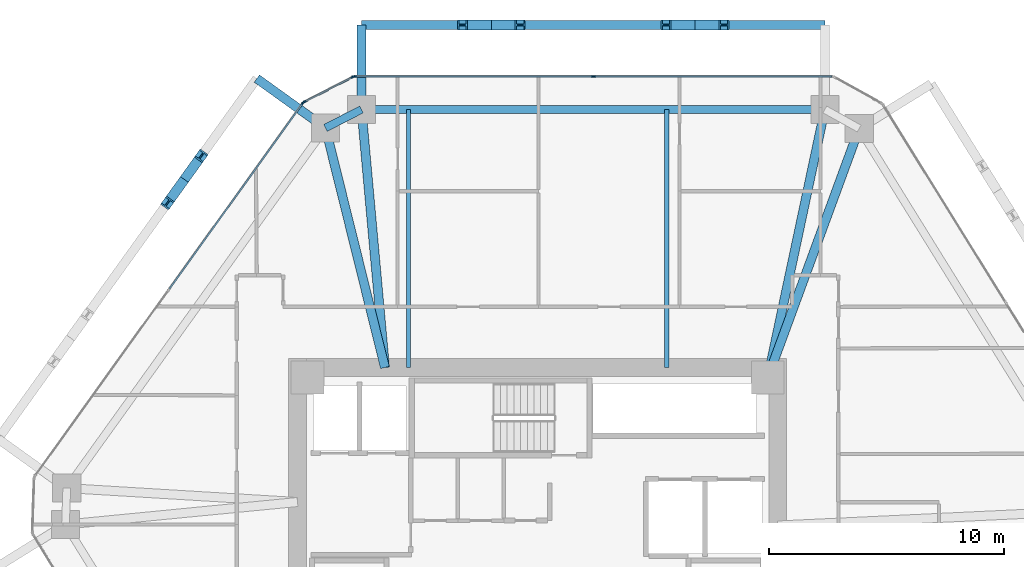
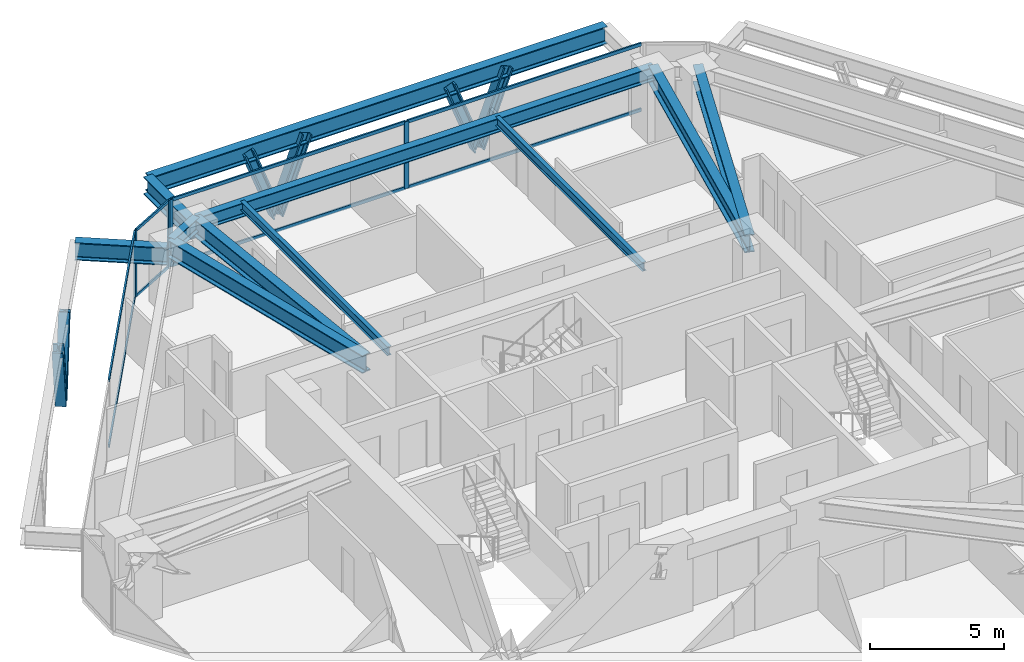
# One storey, part 7 of 14: 19 members, 11 beams, 3 elements without a shape of their own.
"""IFC4 building model written with IfcOpenShell, lengths in metres."""

from ifc_helpers import new_model, si_unit, direction, frame, origin, origin_2d, place, context, subcontext, project, spatial, rectangle, i_section, extrude, source, transform, mapped, material, layer, layer_set, material_profile, profile_set, type_object, type_shapes, element, aggregate, save


model = new_model("IFC4")

# Units and contexts
model_context = context("Model", 3, precision=1e-05, world=origin(), true_north=direction((0.0, 1.0)))
body_context = subcontext(model_context, "Body", "Model", "MODEL_VIEW")
ifc_project = project(units=[si_unit("LENGTHUNIT", "METRE"), si_unit("AREAUNIT", "SQUARE_METRE"), si_unit("VOLUMEUNIT", "CUBIC_METRE"), si_unit("PLANEANGLEUNIT", "RADIAN"), si_unit("MASSUNIT", "GRAM", prefix="KILO")], contexts=[model_context])

# Site, building, storey
site_placement = place(None, origin())
site = spatial("IfcSite", under=ifc_project, at=site_placement, CompositionType="ELEMENT")
building_placement = place(site_placement, origin())
building = spatial("IfcBuilding", under=site, at=building_placement, Name="Durnholm Broadcast Tower", CompositionType="ELEMENT")
storey_placement = place(building_placement, frame((0.0, 0.0, 120.60009765625)))
storey = spatial("IfcBuildingStorey", under=building, at=storey_placement, Name="L32", CompositionType="ELEMENT", Elevation=120.60009765625)

# Beams
ifc_material_1 = material(Name="Steel ASTM A992 Grade 50", Category="steel")
ifc_material_profile_1 = material_profile(ifc_material_1, i_section(OverallWidth=0.385009765625, OverallDepth=0.802978515625, WebThickness=0.023681640625, FlangeThickness=0.0419921875, FilletRadius=0.032958984375, at=origin_2d()), Name="W30X261")
ifc_profile_set_1 = profile_set([ifc_material_profile_1], Name="Steel ASTM A992 Grade 50")
beam_type_1 = type_object("IfcBeamType", Name="BM-EXO-TIE", PredefinedType="USERDEFINED", material=ifc_profile_set_1)
shared_shape_1 = source(origin(), body_context, "Body", "SweptSolid", [
    extrude(i_section(OverallWidth=0.385009765625, OverallDepth=0.802978515625, WebThickness=0.023681640625, FlangeThickness=0.0419921875, FilletRadius=0.032958984375, at=origin_2d()), origin(), (0.0, 0.0, 1.0), 3.4560546875),
])
beam_1_placement = place(storey_placement, frame((-7.498046875, 19.35888671875, 2.30859375), z_axis=(0.0, 1.0, 0.0), x_axis=(-1.0, 0.0, 0.0)))
element("IfcBeam", 1, at=beam_1_placement, inside=storey, type_object=beam_type_1, Name="L32 exoskeleton stand-off tie bracket F4.2", ObjectType="GIRDER", PredefinedType="USERDEFINED", context=body_context, shape_type="MappedRepresentation", body=[
    mapped(shared_shape_1, transform((0.0, 0.0, 0.0), x_axis=(1.0, 0.0, 0.0), y_axis=(0.0, 1.0, 0.0), z_axis=(0.0, 0.0, 1.0), scale=1.0)),
])
ifc_material_profile_2 = material_profile(ifc_material_1, i_section(OverallWidth=0.3291015625, OverallDepth=0.635009765625, WebThickness=0.017822265625, FlangeThickness=0.031005859375, FilletRadius=0.02783203125, at=origin_2d()), Name="W24X162")
ifc_profile_set_2 = profile_set([ifc_material_profile_2], Name="Steel ASTM A992 Grade 50")
beam_type_2 = type_object("IfcBeamType", Name="STL-SP-W24X162", PredefinedType="SPANDREL", material=ifc_profile_set_2)
shared_shape_2 = source(origin(), body_context, "Body", "SweptSolid", [
    extrude(i_section(OverallWidth=0.3291015625, OverallDepth=0.635009765625, WebThickness=0.017822265625, FlangeThickness=0.031005859375, FilletRadius=0.02783203125, at=origin_2d()), origin(), (0.0, 0.0, 1.0), 1.723876953125),
])
beam_2_placement = place(storey_placement, frame((-9.031982421875, 18.42822265625, 2.727294921875), z_axis=(0.889762904339, 0.456423020959, 0.0), x_axis=(-0.456423020959, 0.889762904339, 0.0)))
element("IfcBeam", 2, at=beam_2_placement, inside=storey, type_object=beam_type_2, Name="L32 perimeter spandrel girder 04", PredefinedType="SPANDREL", context=body_context, shape_type="MappedRepresentation", body=[
    mapped(shared_shape_2, transform((0.0, 0.0, 0.0), x_axis=(1.0, 0.0, 0.0), y_axis=(0.0, 1.0, 0.0), z_axis=(0.0, 0.0, 1.0), scale=1.0)),
])
shared_shape_3 = source(origin(), body_context, "Body", "SweptSolid", [
    extrude(i_section(OverallWidth=0.3291015625, OverallDepth=0.635009765625, WebThickness=0.017822265625, FlangeThickness=0.031005859375, FilletRadius=0.02783203125, at=origin_2d()), origin(), (0.0, 0.0, 1.0), 19.72802734375),
])
type_shapes(beam_type_2, [shared_shape_2, shared_shape_3])
beam_3_placement = place(storey_placement, frame((-7.498046875, 19.215087890625, 2.727294921875), z_axis=(1.0, 0.0, 0.0), x_axis=(0.0, 1.0, 0.0)))
element("IfcBeam", 3, at=beam_3_placement, inside=storey, type_object=beam_type_2, Name="L32 perimeter spandrel girder 05", PredefinedType="SPANDREL", context=body_context, shape_type="MappedRepresentation", body=[
    mapped(shared_shape_3, transform((0.0, 0.0, 0.0), x_axis=(1.0, 0.0, 0.0), y_axis=(0.0, 1.0, 0.0), z_axis=(0.0, 0.0, 1.0), scale=1.0)),
])
ifc_material_profile_3 = material_profile(ifc_material_1, i_section(OverallWidth=0.385009765625, OverallDepth=0.802978515625, WebThickness=0.023681640625, FlangeThickness=0.0419921875, FilletRadius=0.032958984375, at=origin_2d()), Name="W30X261")
ifc_profile_set_3 = profile_set([ifc_material_profile_3], Name="Steel ASTM A992 Grade 50")
beam_type_3 = type_object("IfcBeamType", Name="STL-GR-W30X261", PredefinedType="USERDEFINED", material=ifc_profile_set_3)
shared_shape_4 = source(origin(), body_context, "Body", "SweptSolid", [
    extrude(i_section(OverallWidth=0.385009765625, OverallDepth=0.802978515625, WebThickness=0.023681640625, FlangeThickness=0.0419921875, FilletRadius=0.032958984375, at=origin_2d()), origin(), (0.0, 0.0, 1.0), 10.5126953125),
])
beam_4_placement = place(storey_placement, frame((-6.5, 8.22509765625, 2.643310546875), z_axis=(-0.240852230194, 0.970561797729, 0.0), x_axis=(-0.970561797729, -0.240852230194, 0.0)))
element("IfcBeam", 4, at=beam_4_placement, inside=storey, type_object=beam_type_3, Name="L32 radial primary floor girder 04", ObjectType="GIRDER", PredefinedType="USERDEFINED", context=body_context, shape_type="MappedRepresentation", body=[
    mapped(shared_shape_4, transform((0.0, 0.0, 0.0), x_axis=(1.0, 0.0, 0.0), y_axis=(0.0, 1.0, 0.0), z_axis=(0.0, 0.0, 1.0), scale=1.0)),
])
shared_shape_5 = source(origin(), body_context, "Body", "SweptSolid", [
    extrude(i_section(OverallWidth=0.385009765625, OverallDepth=0.802978515625, WebThickness=0.023681640625, FlangeThickness=0.0419921875, FilletRadius=0.032958984375, at=origin_2d()), origin(), (0.0, 0.0, 1.0), 11.03515625),
])
beam_5_placement = place(storey_placement, frame((-6.5, 8.22509765625, 2.643310546875), z_axis=(-0.090441991612, 0.995901725148, 0.0), x_axis=(-0.995901725148, -0.090441991612, 0.0)))
element("IfcBeam", 5, at=beam_5_placement, inside=storey, type_object=beam_type_3, Name="L32 radial primary floor girder 05", ObjectType="GIRDER", PredefinedType="USERDEFINED", context=body_context, shape_type="MappedRepresentation", body=[
    mapped(shared_shape_5, transform((0.0, 0.0, 0.0), x_axis=(1.0, 0.0, 0.0), y_axis=(0.0, 1.0, 0.0), z_axis=(0.0, 0.0, 1.0), scale=1.0)),
])
shared_shape_6 = source(origin(), body_context, "Body", "SweptSolid", [
    extrude(i_section(OverallWidth=0.385009765625, OverallDepth=0.802978515625, WebThickness=0.023681640625, FlangeThickness=0.0419921875, FilletRadius=0.032958984375, at=origin_2d()), origin(), (0.0, 0.0, 1.0), 11.6708984375),
])
beam_6_placement = place(storey_placement, frame((9.800048828125, 7.800048828125, 2.643310546875), z_axis=(0.208206004915, 0.97808499606, 0.0), x_axis=(-0.97808499606, 0.208206004915, 0.0)))
element("IfcBeam", 6, at=beam_6_placement, inside=storey, type_object=beam_type_3, Name="L32 radial primary floor girder 06", ObjectType="GIRDER", PredefinedType="USERDEFINED", context=body_context, shape_type="MappedRepresentation", body=[
    mapped(shared_shape_6, transform((0.0, 0.0, 0.0), x_axis=(1.0, 0.0, 0.0), y_axis=(0.0, 1.0, 0.0), z_axis=(0.0, 0.0, 1.0), scale=1.0)),
])
shared_shape_7 = source(origin(), body_context, "Body", "SweptSolid", [
    extrude(i_section(OverallWidth=0.385009765625, OverallDepth=0.802978515625, WebThickness=0.023681640625, FlangeThickness=0.0419921875, FilletRadius=0.032958984375, at=origin_2d()), origin(), (0.0, 0.0, 1.0), 11.293212890625),
])
type_shapes(beam_type_3, [shared_shape_4, shared_shape_5, shared_shape_6, shared_shape_7])
beam_7_placement = place(storey_placement, frame((9.800048828125, 7.800048828125, 2.643310546875), z_axis=(0.344640193759, 0.938734859716, 0.0), x_axis=(-0.938734859716, 0.344640193759, 0.0)))
element("IfcBeam", 7, at=beam_7_placement, inside=storey, type_object=beam_type_3, Name="L32 radial primary floor girder 07", ObjectType="GIRDER", PredefinedType="USERDEFINED", context=body_context, shape_type="MappedRepresentation", body=[
    mapped(shared_shape_7, transform((0.0, 0.0, 0.0), x_axis=(1.0, 0.0, 0.0), y_axis=(0.0, 1.0, 0.0), z_axis=(0.0, 0.0, 1.0), scale=1.0)),
])
ifc_material_profile_4 = material_profile(ifc_material_1, i_section(OverallWidth=0.177734375, OverallDepth=0.40673828125, WebThickness=0.0078125, FlangeThickness=0.0126953125, FilletRadius=0.01904296875, at=origin_2d()), Name="W16X40")
ifc_profile_set_4 = profile_set([ifc_material_profile_4], Name="Steel ASTM A992 Grade 50")
beam_type_4 = type_object("IfcBeamType", Name="STL-BJ-W16X40", PredefinedType="JOIST", material=ifc_profile_set_4)
shared_shape_8 = source(origin(), body_context, "Body", "SweptSolid", [
    extrude(i_section(OverallWidth=0.177734375, OverallDepth=0.40673828125, WebThickness=0.0078125, FlangeThickness=0.0126953125, FilletRadius=0.01904296875, at=origin_2d()), origin(), (0.0, 0.0, 1.0), 10.989990234375),
])
type_shapes(beam_type_4, [shared_shape_8])
for number, where, z_axis, x_axis, name in (
    (8, (-5.5, 8.22509765625, 2.841552734375), (0.0, 1.0, 0.0), (-1.0, 0.0, 0.0), "L32 secondary floor joist 3.2"),
    (9, (5.5, 8.22509765625, 2.841552734375), (0.0, 1.0, 0.0), (-1.0, 0.0, 0.0), "L32 secondary floor joist 4.2"),
):
    element("IfcBeam", number, at=place(storey_placement, frame(where, z_axis=z_axis, x_axis=x_axis)), inside=storey, type_object=beam_type_4, Name=name, PredefinedType="JOIST", context=body_context, shape_type="MappedRepresentation", body=[
        mapped(shared_shape_8, transform((0.0, 0.0, 0.0), x_axis=(1.0, 0.0, 0.0), y_axis=(0.0, 1.0, 0.0), z_axis=(0.0, 0.0, 1.0), scale=1.0)),
    ])
shared_shape_9 = source(origin(), body_context, "Body", "SweptSolid", [
    extrude(i_section(OverallWidth=0.385009765625, OverallDepth=0.802978515625, WebThickness=0.023681640625, FlangeThickness=0.0419921875, FilletRadius=0.032958984375, at=origin_2d()), origin(), (0.0, 0.0, 1.0), 19.72802734375),
])
beam_8_placement = place(storey_placement, frame((12.22998046875, 22.81494140625, 2.30859375), z_axis=(-1.0, 0.0, 0.0), x_axis=(0.0, -1.0, 0.0)))
element("IfcBeam", 10, at=beam_8_placement, inside=storey, type_object=beam_type_1, Name="L32 exoskeleton collector spandrel F4", PredefinedType="SPANDREL", context=body_context, shape_type="MappedRepresentation", body=[
    mapped(shared_shape_9, transform((0.0, 0.0, 0.0), x_axis=(1.0, 0.0, 0.0), y_axis=(0.0, 1.0, 0.0), z_axis=(0.0, 0.0, 1.0), scale=1.0)),
])
shared_shape_10 = source(origin(), body_context, "Body", "SweptSolid", [
    extrude(i_section(OverallWidth=0.385009765625, OverallDepth=0.802978515625, WebThickness=0.023681640625, FlangeThickness=0.0419921875, FilletRadius=0.032958984375, at=origin_2d()), origin(), (0.0, 0.0, 1.0), 3.456298828125),
])
type_shapes(beam_type_1, [shared_shape_1, shared_shape_9, shared_shape_10])
beam_9_placement = place(storey_placement, frame((-9.14892578125, 18.51220703125, 2.30859375), z_axis=(-0.812131479052, 0.583474473077, 0.0), x_axis=(-0.583474473077, -0.812131479052, 0.0)))
element("IfcBeam", 11, at=beam_9_placement, inside=storey, type_object=beam_type_1, Name="L32 exoskeleton stand-off tie bracket F5.1", ObjectType="GIRDER", PredefinedType="USERDEFINED", context=body_context, shape_type="MappedRepresentation", body=[
    mapped(shared_shape_10, transform((0.0, 0.0, 0.0), x_axis=(1.0, 0.0, 0.0), y_axis=(0.0, 1.0, 0.0), z_axis=(0.0, 0.0, 1.0), scale=1.0)),
])

# Members
ifc_material_2 = material(Name="Steel ASTM A913 Grade 65", Category="steel")
ifc_material_profile_5 = material_profile(ifc_material_2, i_section(OverallWidth=0.41845703125, OverallDepth=0.455078125, WebThickness=0.0419921875, FlangeThickness=0.067626953125, FilletRadius=0.030517578125, at=origin_2d()), Name="W14X370")
ifc_profile_set_5 = profile_set([ifc_material_profile_5], Name="Steel ASTM A913 Grade 65")
member_type_1 = type_object("IfcMemberType", Name="STL-DG-W14X370", PredefinedType="BRACE", material=ifc_profile_set_5)
shared_shape_11 = source(origin(), body_context, "Body", "SweptSolid", [
    extrude(i_section(OverallWidth=0.41845703125, OverallDepth=0.455078125, WebThickness=0.0419921875, FlangeThickness=0.067626953125, FilletRadius=0.030517578125, at=origin_2d()), origin(), (0.0, 0.0, 1.0), 3.523193359375),
])
type_shapes(member_type_1, [shared_shape_11])
for number, where, z_axis, x_axis, name in (
    (12, (6.7060546875, 22.81494140625, -0.991455078125), (0.350219588454, 0.0, 0.936667625075), (0.0, 1.0, 0.0), "L32 stand-off diagrid brace F4.D1.1"),
    (13, (6.7060546875, 22.81494140625, -0.991455078125), (-0.350158790071, 0.0, 0.936690355313), (0.0, -1.0, 0.0), "L32 stand-off diagrid brace F4.D1.2"),
    (14, (-1.974365234375, 22.81494140625, -0.991455078125), (0.350219588454, 0.0, 0.936667625075), (0.0, 1.0, 0.0), "L32 stand-off diagrid brace F4.D2.1"),
    (15, (-1.974365234375, 22.81494140625, -0.991455078125), (-0.350158790071, 0.0, 0.936690355313), (0.0, -1.0, 0.0), "L32 stand-off diagrid brace F4.D2.2"),
    (16, (-15.040771484375, 16.234375, -0.991455078125), (0.204287819296, 0.284395254542, 0.936688756248), (-0.812179469647, 0.583407669717, 0.0), "L32 stand-off diagrid brace F5.D1.1"),
    (17, (-15.040771484375, 16.234375, -0.991455078125), (-0.204354222964, -0.284391227889, 0.936675493998), (0.812085698931, -0.583538188632, 0.0), "L32 stand-off diagrid brace F5.D1.2"),
):
    element("IfcMember", number, at=place(storey_placement, frame(where, z_axis=z_axis, x_axis=x_axis)), inside=storey, type_object=member_type_1, Name=name, PredefinedType="BRACE", context=body_context, shape_type="MappedRepresentation", body=[
        mapped(shared_shape_11, transform((0.0, 0.0, 0.0), x_axis=(1.0, 0.0, 0.0), y_axis=(0.0, 1.0, 0.0), z_axis=(0.0, 0.0, 1.0), scale=1.0)),
    ])

# Curtain wall, members
ifc_material_3 = material(Name="Aluminium and Solar Control IGU", Category="aluminium")
ifc_layer_1 = layer(ifc_material_3, 0.1650390625)
ifc_layer_set_1 = layer_set([ifc_layer_1], Name="Aluminium and Solar Control IGU")
curtain_wall_type_1 = type_object("IfcCurtainWallType", Name="CW-SYS-5", PredefinedType="NOTDEFINED", material=ifc_layer_set_1)
curtain_wall_1_placement = place(storey_placement, origin())
curtain_wall_1 = element("IfcCurtainWall", 18, at=curtain_wall_1_placement, inside=storey, type_object=curtain_wall_type_1, Name="L32 curtain wall CW-CORNER CW-L32-CRN-03", PredefinedType="NOTDEFINED")
ifc_material_4 = material(Name="Aluminium 6063-T6", Category="aluminium")
ifc_material_profile_6 = material_profile(ifc_material_4, rectangle(XDim=0.06494140625, YDim=0.1650390625, at=origin_2d()), Name="CWM65X165")
ifc_profile_set_6 = profile_set([ifc_material_profile_6], Name="Aluminium 6063-T6")
member_type_2 = type_object("IfcMemberType", Name="CW-SYS-5-MUL", PredefinedType="MULLION", material=ifc_profile_set_6)
shared_shape_12 = source(origin(), body_context, "Body", "SweptSolid", [
    extrude(rectangle(XDim=0.06494140625, YDim=0.1650390625, at=origin_2d()), origin(), (0.0, 0.0, 1.0), 3.059814453125),
])
type_shapes(member_type_2, [shared_shape_12])
member_1_placement = place(storey_placement, frame((-9.94287109375, 19.534423828125, 0.0), z_axis=(0.0, 0.0, 1.0), x_axis=(-0.45637332267, 0.889788396392, 0.0)))
member_1 = element("IfcMember", 19, at=member_1_placement, type_object=member_type_2, Name="CW-CORNER mullion 1", PredefinedType="MULLION", context=body_context, shape_type="MappedRepresentation", body=[
    mapped(shared_shape_12, transform((0.0, 0.0, 0.0), x_axis=(1.0, 0.0, 0.0), y_axis=(0.0, 1.0, 0.0), z_axis=(0.0, 0.0, 1.0), scale=1.0)),
])
member_2_placement = place(storey_placement, frame((-7.865234375, 20.60009765625, 0.0), z_axis=(0.0, 0.0, 1.0), x_axis=(-0.45637332267, 0.889788396392, 0.0)))
member_2 = element("IfcMember", 20, at=member_2_placement, type_object=member_type_2, Name="CW-CORNER mullion 2", PredefinedType="MULLION", context=body_context, shape_type="MappedRepresentation", body=[
    mapped(shared_shape_12, transform((0.0, 0.0, 0.0), x_axis=(1.0, 0.0, 0.0), y_axis=(0.0, 1.0, 0.0), z_axis=(0.0, 0.0, 1.0), scale=1.0)),
])

# Curtain wall, member
ifc_layer_2 = layer(ifc_material_3, 0.18994140625)
ifc_layer_set_2 = layer_set([ifc_layer_2], Name="Aluminium and Solar Control IGU")
curtain_wall_type_2 = type_object("IfcCurtainWallType", Name="CW-SYS-3", PredefinedType="NOTDEFINED", material=ifc_layer_set_2)
curtain_wall_2_placement = place(storey_placement, origin())
curtain_wall_2 = element("IfcCurtainWall", 21, at=curtain_wall_2_placement, inside=storey, type_object=curtain_wall_type_2, Name="L32 curtain wall CW-Z12-VIS CW-L32-F02", PredefinedType="NOTDEFINED")
ifc_material_profile_7 = material_profile(ifc_material_4, rectangle(XDim=0.070068359375, YDim=0.18994140625, at=origin_2d()), Name="CWM70X190")
ifc_profile_set_7 = profile_set([ifc_material_profile_7], Name="Aluminium 6063-T6")
member_type_3 = type_object("IfcMemberType", Name="CW-SYS-3-MUL", PredefinedType="MULLION", material=ifc_profile_set_7)
shared_shape_13 = source(origin(), body_context, "Body", "SweptSolid", [
    extrude(rectangle(XDim=0.070068359375, YDim=0.18994140625, at=origin_2d()), origin(), (0.0, 0.0, 1.0), 3.059814453125),
])
type_shapes(member_type_3, [shared_shape_13])
member_3_placement = place(storey_placement, frame((-9.9921875, 19.4912109375, 0.0), z_axis=(0.0, 0.0, 1.0), x_axis=(-0.812152312759, 0.583445473786, 0.0)))
member_3 = element("IfcMember", 22, at=member_3_placement, type_object=member_type_3, Name="CW-Z12-VIS mullion 3", PredefinedType="MULLION", context=body_context, shape_type="MappedRepresentation", body=[
    mapped(shared_shape_13, transform((0.0, 0.0, 0.0), x_axis=(1.0, 0.0, 0.0), y_axis=(0.0, 1.0, 0.0), z_axis=(0.0, 0.0, 1.0), scale=1.0)),
])

# Curtain wall, members
curtain_wall_3_placement = place(storey_placement, origin())
curtain_wall_3 = element("IfcCurtainWall", 23, at=curtain_wall_3_placement, inside=storey, type_object=curtain_wall_type_2, Name="L32 curtain wall CW-Z12-VIS CW-L32-F04", PredefinedType="NOTDEFINED")
member_4_placement = place(storey_placement, frame((-7.80126953125, 20.614990234375, 0.0), z_axis=(0.0, 0.0, 1.0), x_axis=(0.0, 1.0, 0.0)))
member_4 = element("IfcMember", 24, at=member_4_placement, type_object=member_type_3, Name="CW-Z12-VIS mullion 1", PredefinedType="MULLION", context=body_context, shape_type="MappedRepresentation", body=[
    mapped(shared_shape_13, transform((0.0, 0.0, 0.0), x_axis=(1.0, 0.0, 0.0), y_axis=(0.0, 1.0, 0.0), z_axis=(0.0, 0.0, 1.0), scale=1.0)),
])
member_5_placement = place(storey_placement, frame((2.37841796875, 20.614990234375, 0.0), z_axis=(0.0, 0.0, 1.0), x_axis=(0.0, 1.0, 0.0)))
member_5 = element("IfcMember", 25, at=member_5_placement, type_object=member_type_3, Name="CW-Z12-VIS mullion 2", PredefinedType="MULLION", context=body_context, shape_type="MappedRepresentation", body=[
    mapped(shared_shape_13, transform((0.0, 0.0, 0.0), x_axis=(1.0, 0.0, 0.0), y_axis=(0.0, 1.0, 0.0), z_axis=(0.0, 0.0, 1.0), scale=1.0)),
])

# Member
ifc_material_profile_8 = material_profile(ifc_material_4, rectangle(XDim=0.06494140625, YDim=0.1298828125, at=origin_2d()), Name="CWT65X130")
ifc_profile_set_8 = profile_set([ifc_material_profile_8], Name="Aluminium 6063-T6")
member_type_4 = type_object("IfcMemberType", Name="CW-SYS-5-TRN", PredefinedType="USERDEFINED", material=ifc_profile_set_8)
shared_shape_14 = source(origin(), body_context, "Body", "SweptSolid", [
    extrude(rectangle(XDim=0.06494140625, YDim=0.1298828125, at=origin_2d()), origin(), (0.0, 0.0, 1.0), 2.27001953125),
])
type_shapes(member_type_4, [shared_shape_14])
member_6_placement = place(storey_placement, frame((-9.913818359375, 19.54931640625, 0.032470703125), z_axis=(0.889754750021, 0.456438916849, 0.0), x_axis=(-0.456438916849, 0.889754750021, 0.0)))
member_6 = element("IfcMember", 26, at=member_6_placement, type_object=member_type_4, Name="CW-CORNER transom 1.1", ObjectType="TRANSOM", PredefinedType="USERDEFINED", context=body_context, shape_type="MappedRepresentation", body=[
    mapped(shared_shape_14, transform((0.0, 0.0, 0.0), x_axis=(1.0, 0.0, 0.0), y_axis=(0.0, 1.0, 0.0), z_axis=(0.0, 0.0, 1.0), scale=1.0)),
])

member_7_placement = place(storey_placement, frame((-9.913818359375, 19.54931640625, 3.02734375), z_axis=(0.889754750021, 0.456438916849, 0.0), x_axis=(-0.456438916849, 0.889754750021, 0.0)))
member_7 = element("IfcMember", 27, at=member_7_placement, type_object=member_type_4, Name="CW-CORNER transom 1.2", ObjectType="TRANSOM", PredefinedType="USERDEFINED", context=body_context, shape_type="MappedRepresentation", body=[
    mapped(shared_shape_14, transform((0.0, 0.0, 0.0), x_axis=(1.0, 0.0, 0.0), y_axis=(0.0, 1.0, 0.0), z_axis=(0.0, 0.0, 1.0), scale=1.0)),
])

aggregate(curtain_wall_1, [member_1, member_2, member_6, member_7])

ifc_material_profile_9 = material_profile(ifc_material_4, rectangle(XDim=0.070068359375, YDim=0.14990234375, at=origin_2d()), Name="CWT70X150")
ifc_profile_set_9 = profile_set([ifc_material_profile_9], Name="Aluminium 6063-T6")
member_type_5 = type_object("IfcMemberType", Name="CW-SYS-3-TRN", PredefinedType="USERDEFINED", material=ifc_profile_set_9)
shared_shape_15 = source(origin(), body_context, "Body", "SweptSolid", [
    extrude(rectangle(XDim=0.070068359375, YDim=0.14990234375, at=origin_2d()), origin(), (0.0, 0.0, 1.0), 9.71875),
])
member_8_placement = place(storey_placement, frame((-15.682861328125, 11.56982421875, 0.034912109375), z_axis=(0.583450726174, 0.812148539448, 0.0), x_axis=(-0.812148539448, 0.583450726174, 0.0)))
member_8 = element("IfcMember", 28, at=member_8_placement, type_object=member_type_5, Name="CW-Z12-VIS transom 2.1", ObjectType="TRANSOM", PredefinedType="USERDEFINED", context=body_context, shape_type="MappedRepresentation", body=[
    mapped(shared_shape_15, transform((0.0, 0.0, 0.0), x_axis=(1.0, 0.0, 0.0), y_axis=(0.0, 1.0, 0.0), z_axis=(0.0, 0.0, 1.0), scale=1.0)),
])

member_9_placement = place(storey_placement, frame((-15.682861328125, 11.56982421875, 3.02490234375), z_axis=(0.583450726174, 0.812148539448, 0.0), x_axis=(-0.812148539448, 0.583450726174, 0.0)))
member_9 = element("IfcMember", 29, at=member_9_placement, type_object=member_type_5, Name="CW-Z12-VIS transom 2.2", ObjectType="TRANSOM", PredefinedType="USERDEFINED", context=body_context, shape_type="MappedRepresentation", body=[
    mapped(shared_shape_15, transform((0.0, 0.0, 0.0), x_axis=(1.0, 0.0, 0.0), y_axis=(0.0, 1.0, 0.0), z_axis=(0.0, 0.0, 1.0), scale=1.0)),
])

aggregate(curtain_wall_2, [member_3, member_8, member_9])

shared_shape_16 = source(origin(), body_context, "Body", "SweptSolid", [
    extrude(rectangle(XDim=0.070068359375, YDim=0.14990234375, at=origin_2d()), origin(), (0.0, 0.0, 1.0), 10.109619140625),
])
type_shapes(member_type_5, [shared_shape_15, shared_shape_16])
member_10_placement = place(storey_placement, frame((-7.76611328125, 20.614990234375, 0.034912109375), z_axis=(1.0, 0.0, 0.0), x_axis=(0.0, 1.0, 0.0)))
member_10 = element("IfcMember", 30, at=member_10_placement, type_object=member_type_5, Name="CW-Z12-VIS transom 1.1", ObjectType="TRANSOM", PredefinedType="USERDEFINED", context=body_context, shape_type="MappedRepresentation", body=[
    mapped(shared_shape_16, transform((0.0, 0.0, 0.0), x_axis=(1.0, 0.0, 0.0), y_axis=(0.0, 1.0, 0.0), z_axis=(0.0, 0.0, 1.0), scale=1.0)),
])

member_11_placement = place(storey_placement, frame((-7.76611328125, 20.614990234375, 3.02490234375), z_axis=(1.0, 0.0, 0.0), x_axis=(0.0, 1.0, 0.0)))
member_11 = element("IfcMember", 31, at=member_11_placement, type_object=member_type_5, Name="CW-Z12-VIS transom 1.2", ObjectType="TRANSOM", PredefinedType="USERDEFINED", context=body_context, shape_type="MappedRepresentation", body=[
    mapped(shared_shape_16, transform((0.0, 0.0, 0.0), x_axis=(1.0, 0.0, 0.0), y_axis=(0.0, 1.0, 0.0), z_axis=(0.0, 0.0, 1.0), scale=1.0)),
])

member_12_placement = place(storey_placement, frame((2.41357421875, 20.614990234375, 0.034912109375), z_axis=(1.0, 0.0, 0.0), x_axis=(0.0, 1.0, 0.0)))
member_12 = element("IfcMember", 32, at=member_12_placement, type_object=member_type_5, Name="CW-Z12-VIS transom 2.1", ObjectType="TRANSOM", PredefinedType="USERDEFINED", context=body_context, shape_type="MappedRepresentation", body=[
    mapped(shared_shape_16, transform((0.0, 0.0, 0.0), x_axis=(1.0, 0.0, 0.0), y_axis=(0.0, 1.0, 0.0), z_axis=(0.0, 0.0, 1.0), scale=1.0)),
])

member_13_placement = place(storey_placement, frame((2.41357421875, 20.614990234375, 3.02490234375), z_axis=(1.0, 0.0, 0.0), x_axis=(0.0, 1.0, 0.0)))
member_13 = element("IfcMember", 33, at=member_13_placement, type_object=member_type_5, Name="CW-Z12-VIS transom 2.2", ObjectType="TRANSOM", PredefinedType="USERDEFINED", context=body_context, shape_type="MappedRepresentation", body=[
    mapped(shared_shape_16, transform((0.0, 0.0, 0.0), x_axis=(1.0, 0.0, 0.0), y_axis=(0.0, 1.0, 0.0), z_axis=(0.0, 0.0, 1.0), scale=1.0)),
])

aggregate(curtain_wall_3, [member_4, member_5, member_10, member_11, member_12, member_13])

save(model, "model.ifc")
